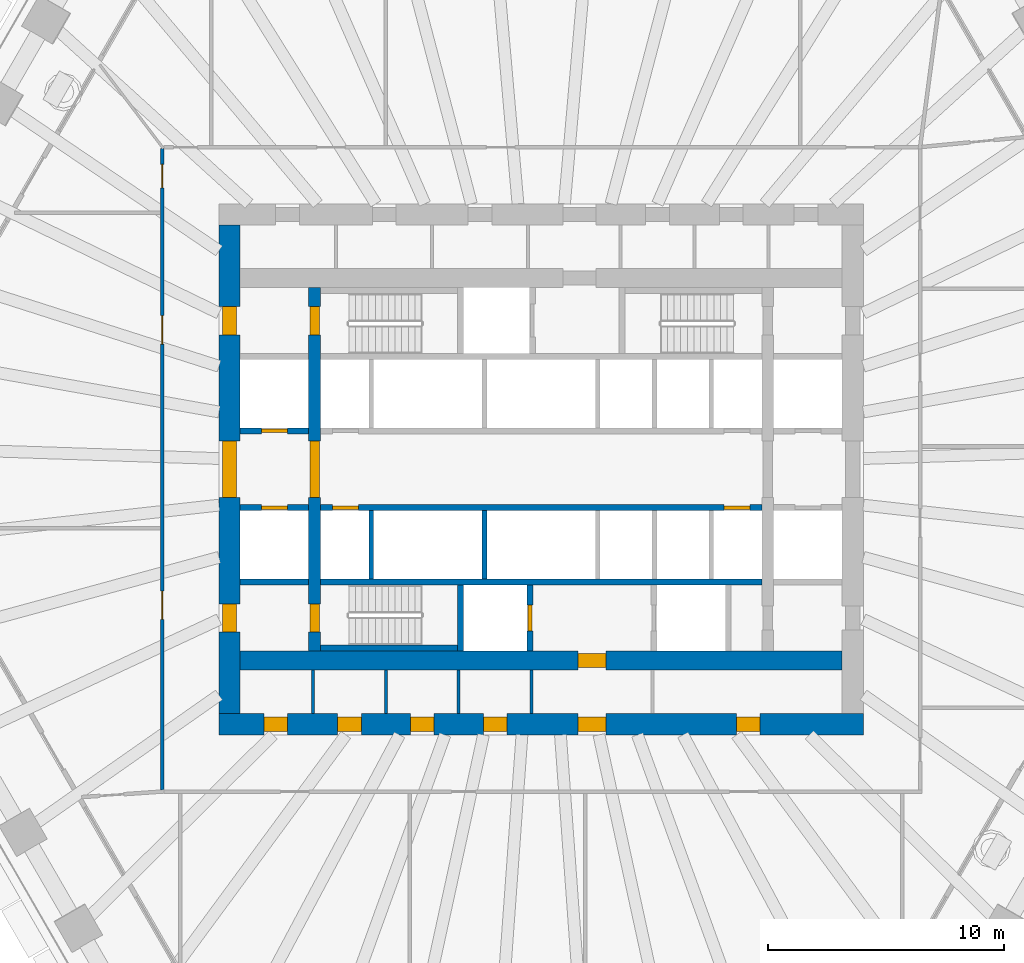
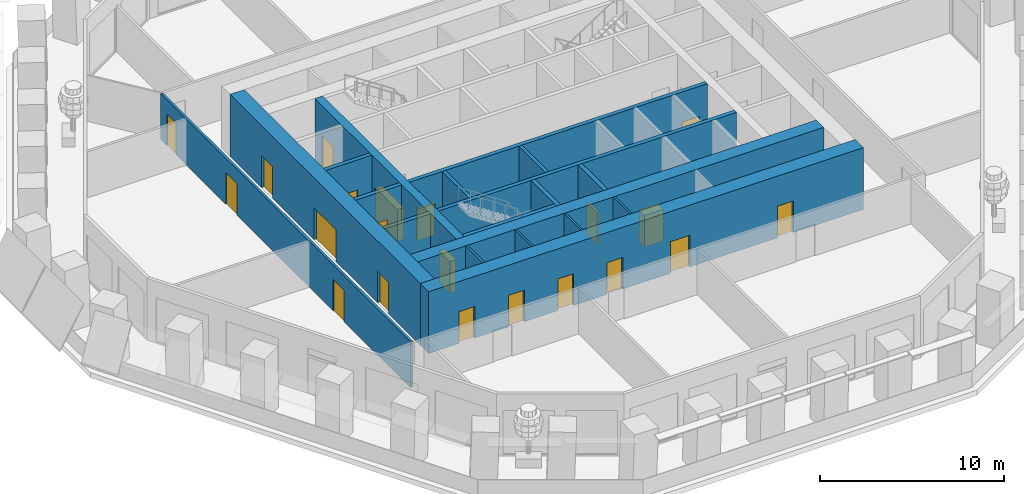
# One storey, part 4 of 12: 21 doors, 19 walls, 21 openings.
"""IFC4 building model written with IfcOpenShell, lengths in metres."""

from ifc_helpers import new_model, si_unit, direction, frame, frame_2d, origin, place, context, subcontext, project, spatial, rectangle, extrude, material, layer, layer_set, type_object, element, fill, save


model = new_model("IFC4")

# Units and contexts
model_context = context("Model", 3, precision=1e-05, world=origin(), true_north=direction((0.0, 1.0)))
body_context = subcontext(model_context, "Body", "Model", "MODEL_VIEW")
ifc_project = project(units=[si_unit("LENGTHUNIT", "METRE"), si_unit("AREAUNIT", "SQUARE_METRE"), si_unit("VOLUMEUNIT", "CUBIC_METRE"), si_unit("PLANEANGLEUNIT", "RADIAN"), si_unit("MASSUNIT", "GRAM", prefix="KILO")], contexts=[model_context])

# Site, building, storey
site_placement = place(None, origin())
site = spatial("IfcSite", under=ifc_project, at=site_placement, CompositionType="ELEMENT")
building_placement = place(site_placement, origin())
building = spatial("IfcBuilding", under=site, at=building_placement, Name="Frailejon Research Tower", CompositionType="ELEMENT")
storey_placement = place(building_placement, frame((0.0, 0.0, 45.39990234375)))
storey = spatial("IfcBuildingStorey", under=building, at=storey_placement, Name="L10", CompositionType="ELEMENT", Elevation=45.39990234375)

# Walls
ifc_material_1 = material(Name="Plasterboard on steel studs", Category="steel")
ifc_layer_1 = layer(ifc_material_1, 0.125)
ifc_layer_set_1 = layer_set([ifc_layer_1], Name="Core partition 125")
wall_type_1 = type_object("IfcWallType", Name="Core partition 125", PredefinedType="PARTITIONING", material=ifc_layer_set_1)
for number, where, z_axis, x_axis, name in (
    (1, (-9.66552734375, -10.35009765625, 0.0), (0.0, 0.0, 1.0), (0.0, 1.0, 0.0), "Core partition"),
    (2, (-6.581298828125, -10.35009765625, 0.0), (0.0, 0.0, 1.0), (0.0, 1.0, 0.0), "Core partition"),
    (3, (-3.496826171875, -10.35009765625, 0.0), (0.0, 0.0, 1.0), (0.0, 1.0, 0.0), "Core partition"),
    (4, (-0.41259765625, -10.35009765625, 0.0), (0.0, 0.0, 1.0), (0.0, 1.0, 0.0), "Core partition"),
):
    element("IfcWall", number, at=place(storey_placement, frame(where, z_axis=z_axis, x_axis=x_axis)), inside=storey, type_object=wall_type_1, Name=name, PredefinedType="PARTITIONING", context=body_context, shape_type="SweptSolid", body=[
        extrude(rectangle(XDim=1.85009765625, YDim=0.125, at=frame_2d((0.925048828125, 0.0))), origin(), (0.0, 0.0, 1.0), 4.10009765625),
    ])

# Wall, openings, doors
ifc_material_2 = material(Name="Concrete C70/85", Category="concrete")
ifc_layer_2 = layer(ifc_material_2, 0.5)
ifc_layer_set_2 = layer_set([ifc_layer_2], Name="Core shear wall 500 C70/85")
wall_type_2 = type_object("IfcWallType", Name="Core shear wall 500 C70/85", PredefinedType="SHEAR", material=ifc_layer_set_2)
wall_1_placement = place(storey_placement, frame((-9.60009765625, -7.699951171875, 0.0), z_axis=(0.0, 0.0, 1.0), x_axis=(0.0, 1.0, 0.0)))
wall_1 = element("IfcWall", 5, at=wall_1_placement, inside=storey, type_object=wall_type_2, Name="Core shear wall", PredefinedType="SHEAR", context=body_context, shape_type="SweptSolid", body=[
    extrude(rectangle(XDim=15.39990234375, YDim=0.5, at=frame_2d((7.699951171875, 0.0))), origin(), (0.0, 0.0, 1.0), 4.10009765625),
])
opening_1_placement = place(wall_1_placement, frame((6.5, 0.0, 0.0)))
opening_1 = element("IfcOpeningElement", 6, at=opening_1_placement, cuts=wall_1, Name="Opening D2", PredefinedType="OPENING", context=body_context, shape_type="SweptSolid", body=[
    extrude(rectangle(XDim=2.39990234375, YDim=2.10009765625, at=frame_2d((1.199951171875, 1.050048828125))), frame((0.0, 0.260009765625, 0.0), z_axis=(0.0, -1.0, 0.0), x_axis=(1.0, 0.0, 0.0)), (0.0, 0.0, 1.0), 0.52001953125),
])
opening_2_placement = place(wall_1_placement, frame((13.39990234375, 0.0, 0.0)))
opening_2 = element("IfcOpeningElement", 7, at=opening_2_placement, cuts=wall_1, Name="Opening D1", PredefinedType="OPENING", context=body_context, shape_type="SweptSolid", body=[
    extrude(rectangle(XDim=1.199951171875, YDim=2.10009765625, at=frame_2d((0.60009765625, 1.050048828125))), frame((0.0, 0.260009765625, 0.0), z_axis=(0.0, -1.0, 0.0), x_axis=(1.0, 0.0, 0.0)), (0.0, 0.0, 1.0), 0.52001953125),
])
opening_3_placement = place(wall_1_placement, frame((0.800048828125, 0.0, 0.0)))
opening_3 = element("IfcOpeningElement", 8, at=opening_3_placement, cuts=wall_1, Name="Opening D1", PredefinedType="OPENING", context=body_context, shape_type="SweptSolid", body=[
    extrude(rectangle(XDim=1.199951171875, YDim=2.10009765625, at=frame_2d((0.60009765625, 1.050048828125))), frame((0.0, 0.260009765625, 0.0), z_axis=(0.0, -1.0, 0.0), x_axis=(1.0, 0.0, 0.0)), (0.0, 0.0, 1.0), 0.52001953125),
])
ifc_material_3 = material(Name="Steel", Category="steel")
door_type_1 = type_object("IfcDoorType", Name="Lobby double door", OperationType="DOUBLE_DOOR_SINGLE_SWING", PredefinedType="DOOR", material=ifc_material_3)
door_1_placement = place(opening_1_placement, origin())
door_1 = element("IfcDoor", 9, at=door_1_placement, inside=storey, type_object=door_type_1, Name="Lobby door", OperationType="DOUBLE_DOOR_SINGLE_SWING", OverallHeight=2.10009765625, OverallWidth=2.39990234375, PredefinedType="DOOR", context=body_context, shape_type="SweptSolid", body=[
    extrude(rectangle(XDim=2.39990234375, YDim=2.10009765625, at=frame_2d((1.199951171875, 1.050048828125))), frame((0.0, 0.199951171875, 0.0), z_axis=(0.0, -1.0, 0.0), x_axis=(1.0, 0.0, 0.0)), (0.0, 0.0, 1.0), 0.39990234375),
])
fill(opening_1, door_1)
ifc_material_4 = material(Name="Steel", Category="steel")
door_type_2 = type_object("IfcDoorType", Name="Stair door", OperationType="SINGLE_SWING_LEFT", PredefinedType="DOOR", material=ifc_material_4)
door_2_placement = place(opening_2_placement, origin())
door_2 = element("IfcDoor", 10, at=door_2_placement, inside=storey, type_object=door_type_2, Name="Stair door ST1", OperationType="SINGLE_SWING_LEFT", OverallHeight=2.10009765625, OverallWidth=1.199951171875, PredefinedType="DOOR", context=body_context, shape_type="SweptSolid", body=[
    extrude(rectangle(XDim=1.199951171875, YDim=2.10009765625, at=frame_2d((0.60009765625, 1.050048828125))), frame((0.0, 0.199951171875, 0.0), z_axis=(0.0, -1.0, 0.0), x_axis=(1.0, 0.0, 0.0)), (0.0, 0.0, 1.0), 0.39990234375),
])
fill(opening_2, door_2)
door_3_placement = place(opening_3_placement, origin())
door_3 = element("IfcDoor", 11, at=door_3_placement, inside=storey, type_object=door_type_2, Name="Stair door ST2", OperationType="SINGLE_SWING_LEFT", OverallHeight=2.10009765625, OverallWidth=1.199951171875, PredefinedType="DOOR", context=body_context, shape_type="SweptSolid", body=[
    extrude(rectangle(XDim=1.199951171875, YDim=2.10009765625, at=frame_2d((0.60009765625, 1.050048828125))), frame((0.0, 0.199951171875, 0.0), z_axis=(0.0, -1.0, 0.0), x_axis=(1.0, 0.0, 0.0)), (0.0, 0.0, 1.0), 0.39990234375),
])
fill(opening_3, door_3)

# Wall, opening, door
ifc_material_5 = material(Name="Concrete C70/85", Category="concrete")
ifc_layer_3 = layer(ifc_material_5, 0.800048828125)
ifc_layer_set_3 = layer_set([ifc_layer_3], Name="Core shear wall 800 C70/85")
wall_type_3 = type_object("IfcWallType", Name="Core shear wall 800 C70/85", PredefinedType="SHEAR", material=ifc_layer_set_3)
wall_2_placement = place(storey_placement, frame((-12.75, -8.10009765625, 0.0), z_axis=(0.0, 0.0, 1.0), x_axis=(1.0, 0.0, 0.0)))
wall_2 = element("IfcWall", 12, at=wall_2_placement, inside=storey, type_object=wall_type_3, Name="Core shear wall", PredefinedType="SHEAR", context=body_context, shape_type="SweptSolid", body=[
    extrude(rectangle(XDim=25.5, YDim=0.800048828125, at=frame_2d((12.75, 0.0))), origin(), (0.0, 0.0, 1.0), 4.10009765625),
])
opening_4_placement = place(wall_2_placement, frame((14.300048828125, 0.0, 0.0)))
opening_4 = element("IfcOpeningElement", 13, at=opening_4_placement, cuts=wall_2, Name="Opening D3", PredefinedType="OPENING", context=body_context, shape_type="SweptSolid", body=[
    extrude(rectangle(XDim=1.199951171875, YDim=2.10009765625, at=frame_2d((0.60009765625, 1.050048828125))), frame((0.0, 0.409912109375, 0.0), z_axis=(0.0, -1.0, 0.0), x_axis=(1.0, 0.0, 0.0)), (0.0, 0.0, 1.0), 0.820068359375),
])
ifc_material_6 = material(Name="Steel", Category="steel")
door_type_3 = type_object("IfcDoorType", Name="Firefighting lobby door", OperationType="SINGLE_SWING_LEFT", PredefinedType="DOOR", material=ifc_material_6)
door_4_placement = place(opening_4_placement, origin())
door_4 = element("IfcDoor", 14, at=door_4_placement, inside=storey, type_object=door_type_3, Name="Firefighting lobby door", OperationType="SINGLE_SWING_LEFT", OverallHeight=2.10009765625, OverallWidth=1.199951171875, PredefinedType="DOOR", context=body_context, shape_type="SweptSolid", body=[
    extrude(rectangle(XDim=1.199951171875, YDim=2.10009765625, at=frame_2d((0.60009765625, 1.050048828125))), frame((0.0, 0.300048828125, 0.0), z_axis=(0.0, -1.0, 0.0), x_axis=(1.0, 0.0, 0.0)), (0.0, 0.0, 1.0), 0.60009765625),
])
fill(opening_4, door_4)

# Wall, openings, doors
ifc_material_7 = material(Name="Concrete C70/85", Category="concrete")
ifc_layer_4 = layer(ifc_material_7, 0.89990234375)
ifc_layer_set_4 = layer_set([ifc_layer_4], Name="Core shear wall 900 C70/85")
wall_type_4 = type_object("IfcWallType", Name="Core shear wall 900 C70/85", PredefinedType="SHEAR", material=ifc_layer_set_4)
wall_3_placement = place(storey_placement, frame((-13.64990234375, -10.800048828125, 0.0), z_axis=(0.0, 0.0, 1.0), x_axis=(1.0, 0.0, 0.0)))
wall_3 = element("IfcWall", 15, at=wall_3_placement, inside=storey, type_object=wall_type_4, Name="Core shear wall", PredefinedType="SHEAR", context=body_context, shape_type="SweptSolid", body=[
    extrude(rectangle(XDim=27.2998046875, YDim=0.89990234375, at=frame_2d((13.64990234375, 0.0))), origin(), (0.0, 0.0, 1.0), 4.10009765625),
])
opening_5_placement = place(wall_3_placement, frame((1.910888671875, 0.0, 0.0)))
opening_5 = element("IfcOpeningElement", 16, at=opening_5_placement, cuts=wall_3, Name="Opening D4", PredefinedType="OPENING", context=body_context, shape_type="SweptSolid", body=[
    extrude(rectangle(XDim=1.0, YDim=2.10009765625, at=frame_2d((0.5, 1.050048828125))), frame((0.0, 0.4599609375, 0.0), z_axis=(0.0, -1.0, 0.0), x_axis=(1.0, 0.0, 0.0)), (0.0, 0.0, 1.0), 0.919921875),
])
opening_6_placement = place(wall_3_placement, frame((5.026611328125, 0.0, 0.0)))
opening_6 = element("IfcOpeningElement", 17, at=opening_6_placement, cuts=wall_3, Name="Opening D4", PredefinedType="OPENING", context=body_context, shape_type="SweptSolid", body=[
    extrude(rectangle(XDim=1.0, YDim=2.10009765625, at=frame_2d((0.5, 1.050048828125))), frame((0.0, 0.4599609375, 0.0), z_axis=(0.0, -1.0, 0.0), x_axis=(1.0, 0.0, 0.0)), (0.0, 0.0, 1.0), 0.919921875),
])
opening_7_placement = place(wall_3_placement, frame((8.11083984375, 0.0, 0.0)))
opening_7 = element("IfcOpeningElement", 18, at=opening_7_placement, cuts=wall_3, Name="Opening D4", PredefinedType="OPENING", context=body_context, shape_type="SweptSolid", body=[
    extrude(rectangle(XDim=1.0, YDim=2.10009765625, at=frame_2d((0.5, 1.050048828125))), frame((0.0, 0.4599609375, 0.0), z_axis=(0.0, -1.0, 0.0), x_axis=(1.0, 0.0, 0.0)), (0.0, 0.0, 1.0), 0.919921875),
])
opening_8_placement = place(wall_3_placement, frame((11.1953125, 0.0, 0.0)))
opening_8 = element("IfcOpeningElement", 19, at=opening_8_placement, cuts=wall_3, Name="Opening D4", PredefinedType="OPENING", context=body_context, shape_type="SweptSolid", body=[
    extrude(rectangle(XDim=1.0, YDim=2.10009765625, at=frame_2d((0.5, 1.050048828125))), frame((0.0, 0.4599609375, 0.0), z_axis=(0.0, -1.0, 0.0), x_axis=(1.0, 0.0, 0.0)), (0.0, 0.0, 1.0), 0.919921875),
])
opening_9_placement = place(wall_3_placement, frame((21.91259765625, 0.0, 0.0)))
opening_9 = element("IfcOpeningElement", 20, at=opening_9_placement, cuts=wall_3, Name="Opening D4", PredefinedType="OPENING", context=body_context, shape_type="SweptSolid", body=[
    extrude(rectangle(XDim=1.0, YDim=2.10009765625, at=frame_2d((0.5, 1.050048828125))), frame((0.0, 0.4599609375, 0.0), z_axis=(0.0, -1.0, 0.0), x_axis=(1.0, 0.0, 0.0)), (0.0, 0.0, 1.0), 0.919921875),
])
opening_10_placement = place(wall_3_placement, frame((15.199951171875, 0.0, 0.0)))
opening_10 = element("IfcOpeningElement", 21, at=opening_10_placement, cuts=wall_3, Name="Opening D3", PredefinedType="OPENING", context=body_context, shape_type="SweptSolid", body=[
    extrude(rectangle(XDim=1.199951171875, YDim=2.10009765625, at=frame_2d((0.60009765625, 1.050048828125))), frame((0.0, 0.4599609375, 0.0), z_axis=(0.0, -1.0, 0.0), x_axis=(1.0, 0.0, 0.0)), (0.0, 0.0, 1.0), 0.919921875),
])
door_5_placement = place(opening_10_placement, origin())
door_5 = element("IfcDoor", 22, at=door_5_placement, inside=storey, type_object=door_type_3, Name="Passage door", OperationType="SINGLE_SWING_LEFT", OverallHeight=2.10009765625, OverallWidth=1.199951171875, PredefinedType="DOOR", context=body_context, shape_type="SweptSolid", body=[
    extrude(rectangle(XDim=1.199951171875, YDim=2.10009765625, at=frame_2d((0.60009765625, 1.050048828125))), frame((0.0, 0.300048828125, 0.0), z_axis=(0.0, -1.0, 0.0), x_axis=(1.0, 0.0, 0.0)), (0.0, 0.0, 1.0), 0.60009765625),
])
fill(opening_10, door_5)
ifc_material_8 = material(Name="Steel", Category="steel")
door_type_4 = type_object("IfcDoorType", Name="Service door", OperationType="SINGLE_SWING_LEFT", PredefinedType="DOOR", material=ifc_material_8)
door_6_placement = place(opening_5_placement, origin())
door_6 = element("IfcDoor", 23, at=door_6_placement, inside=storey, type_object=door_type_4, Name="Room door", OperationType="SINGLE_SWING_RIGHT", OverallHeight=2.10009765625, OverallWidth=1.0, PredefinedType="DOOR", context=body_context, shape_type="SweptSolid", body=[
    extrude(rectangle(XDim=1.0, YDim=2.10009765625, at=frame_2d((0.5, 1.050048828125))), frame((0.0, 0.300048828125, 0.0), z_axis=(0.0, -1.0, 0.0), x_axis=(1.0, 0.0, 0.0)), (0.0, 0.0, 1.0), 0.60009765625),
])
fill(opening_5, door_6)
door_7_placement = place(opening_6_placement, origin())
door_7 = element("IfcDoor", 24, at=door_7_placement, inside=storey, type_object=door_type_4, Name="Room door", OperationType="SINGLE_SWING_LEFT", OverallHeight=2.10009765625, OverallWidth=1.0, PredefinedType="DOOR", context=body_context, shape_type="SweptSolid", body=[
    extrude(rectangle(XDim=1.0, YDim=2.10009765625, at=frame_2d((0.5, 1.050048828125))), frame((0.0, 0.300048828125, 0.0), z_axis=(0.0, -1.0, 0.0), x_axis=(1.0, 0.0, 0.0)), (0.0, 0.0, 1.0), 0.60009765625),
])
fill(opening_6, door_7)
door_8_placement = place(opening_7_placement, origin())
door_8 = element("IfcDoor", 25, at=door_8_placement, inside=storey, type_object=door_type_4, Name="Room door", OperationType="SINGLE_SWING_RIGHT", OverallHeight=2.10009765625, OverallWidth=1.0, PredefinedType="DOOR", context=body_context, shape_type="SweptSolid", body=[
    extrude(rectangle(XDim=1.0, YDim=2.10009765625, at=frame_2d((0.5, 1.050048828125))), frame((0.0, 0.300048828125, 0.0), z_axis=(0.0, -1.0, 0.0), x_axis=(1.0, 0.0, 0.0)), (0.0, 0.0, 1.0), 0.60009765625),
])
fill(opening_7, door_8)
door_9_placement = place(opening_8_placement, origin())
door_9 = element("IfcDoor", 26, at=door_9_placement, inside=storey, type_object=door_type_4, Name="Room door", OperationType="SINGLE_SWING_LEFT", OverallHeight=2.10009765625, OverallWidth=1.0, PredefinedType="DOOR", context=body_context, shape_type="SweptSolid", body=[
    extrude(rectangle(XDim=1.0, YDim=2.10009765625, at=frame_2d((0.5, 1.050048828125))), frame((0.0, 0.300048828125, 0.0), z_axis=(0.0, -1.0, 0.0), x_axis=(1.0, 0.0, 0.0)), (0.0, 0.0, 1.0), 0.60009765625),
])
fill(opening_8, door_9)
door_10_placement = place(opening_9_placement, origin())
door_10 = element("IfcDoor", 27, at=door_10_placement, inside=storey, type_object=door_type_4, Name="Room door", OperationType="SINGLE_SWING_RIGHT", OverallHeight=2.10009765625, OverallWidth=1.0, PredefinedType="DOOR", context=body_context, shape_type="SweptSolid", body=[
    extrude(rectangle(XDim=1.0, YDim=2.10009765625, at=frame_2d((0.5, 1.050048828125))), frame((0.0, 0.300048828125, 0.0), z_axis=(0.0, -1.0, 0.0), x_axis=(1.0, 0.0, 0.0)), (0.0, 0.0, 1.0), 0.60009765625),
])
fill(opening_9, door_10)

wall_4_placement = place(storey_placement, frame((-13.199951171875, -10.35009765625, 0.0), z_axis=(0.0, 0.0, 1.0), x_axis=(0.0, 1.0, 0.0)))
wall_4 = element("IfcWall", 28, at=wall_4_placement, inside=storey, type_object=wall_type_4, Name="Core shear wall", PredefinedType="SHEAR", context=body_context, shape_type="SweptSolid", body=[
    extrude(rectangle(XDim=20.7001953125, YDim=0.89990234375, at=frame_2d((10.35009765625, 0.0))), origin(), (0.0, 0.0, 1.0), 4.10009765625),
])
opening_11_placement = place(wall_4_placement, frame((9.14990234375, 0.0, 0.0)))
opening_11 = element("IfcOpeningElement", 29, at=opening_11_placement, cuts=wall_4, Name="Opening D2", PredefinedType="OPENING", context=body_context, shape_type="SweptSolid", body=[
    extrude(rectangle(XDim=2.39990234375, YDim=2.10009765625, at=frame_2d((1.199951171875, 1.050048828125))), frame((0.0, 0.4599609375, 0.0), z_axis=(0.0, -1.0, 0.0), x_axis=(1.0, 0.0, 0.0)), (0.0, 0.0, 1.0), 0.919921875),
])
opening_12_placement = place(wall_4_placement, frame((16.050048828125, 0.0, 0.0)))
opening_12 = element("IfcOpeningElement", 30, at=opening_12_placement, cuts=wall_4, Name="Opening D7", PredefinedType="OPENING", context=body_context, shape_type="SweptSolid", body=[
    extrude(rectangle(XDim=1.199951171875, YDim=2.10009765625, at=frame_2d((0.60009765625, 1.050048828125))), frame((0.0, 0.4599609375, 0.0), z_axis=(0.0, -1.0, 0.0), x_axis=(1.0, 0.0, 0.0)), (0.0, 0.0, 1.0), 0.919921875),
])
opening_13_placement = place(wall_4_placement, frame((3.449951171875, 0.0, 0.0)))
opening_13 = element("IfcOpeningElement", 31, at=opening_13_placement, cuts=wall_4, Name="Opening D7", PredefinedType="OPENING", context=body_context, shape_type="SweptSolid", body=[
    extrude(rectangle(XDim=1.199951171875, YDim=2.10009765625, at=frame_2d((0.60009765625, 1.050048828125))), frame((0.0, 0.4599609375, 0.0), z_axis=(0.0, -1.0, 0.0), x_axis=(1.0, 0.0, 0.0)), (0.0, 0.0, 1.0), 0.919921875),
])
door_11_placement = place(opening_11_placement, origin())
door_11 = element("IfcDoor", 32, at=door_11_placement, inside=storey, type_object=door_type_1, Name="Lobby door", OperationType="DOUBLE_DOOR_SINGLE_SWING", OverallHeight=2.10009765625, OverallWidth=2.39990234375, PredefinedType="DOOR", context=body_context, shape_type="SweptSolid", body=[
    extrude(rectangle(XDim=2.39990234375, YDim=2.10009765625, at=frame_2d((1.199951171875, 1.050048828125))), frame((0.0, 0.300048828125, 0.0), z_axis=(0.0, -1.0, 0.0), x_axis=(1.0, 0.0, 0.0)), (0.0, 0.0, 1.0), 0.60009765625),
])
fill(opening_11, door_11)
ifc_material_9 = material(Name="Steel", Category="steel")
door_type_5 = type_object("IfcDoorType", Name="Stair exit door", OperationType="SINGLE_SWING_LEFT", PredefinedType="DOOR", material=ifc_material_9)
door_12_placement = place(opening_12_placement, origin())
door_12 = element("IfcDoor", 33, at=door_12_placement, inside=storey, type_object=door_type_5, Name="Stair exit door ST1", OperationType="SINGLE_SWING_RIGHT", OverallHeight=2.10009765625, OverallWidth=1.199951171875, PredefinedType="DOOR", context=body_context, shape_type="SweptSolid", body=[
    extrude(rectangle(XDim=1.199951171875, YDim=2.10009765625, at=frame_2d((0.60009765625, 1.050048828125))), frame((0.0, 0.300048828125, 0.0), z_axis=(0.0, -1.0, 0.0), x_axis=(1.0, 0.0, 0.0)), (0.0, 0.0, 1.0), 0.60009765625),
])
fill(opening_12, door_12)
door_13_placement = place(opening_13_placement, origin())
door_13 = element("IfcDoor", 34, at=door_13_placement, inside=storey, type_object=door_type_5, Name="Stair exit door ST2", OperationType="SINGLE_SWING_RIGHT", OverallHeight=2.10009765625, OverallWidth=1.199951171875, PredefinedType="DOOR", context=body_context, shape_type="SweptSolid", body=[
    extrude(rectangle(XDim=1.199951171875, YDim=2.10009765625, at=frame_2d((0.60009765625, 1.050048828125))), frame((0.0, 0.300048828125, 0.0), z_axis=(0.0, -1.0, 0.0), x_axis=(1.0, 0.0, 0.0)), (0.0, 0.0, 1.0), 0.60009765625),
])
fill(opening_13, door_13)

ifc_material_10 = material(Name="Gypsum board and masonry partition", Category="masonry")
ifc_layer_5 = layer(ifc_material_10, 0.14990234375)
ifc_layer_set_5 = layer_set([ifc_layer_5], Name="Corridor wall EI 60, gypsum on steel studs 150")
wall_type_5 = type_object("IfcWallType", Name="Corridor wall EI 60, gypsum on steel studs 150", PredefinedType="PARTITIONING", material=ifc_layer_set_5)
wall_5_placement = place(storey_placement, frame((-16.050048828125, -13.574951171875, 0.0), z_axis=(0.0, 0.0, 1.0), x_axis=(0.0, 1.0, 0.0)))
wall_5 = element("IfcWall", 35, at=wall_5_placement, inside=storey, type_object=wall_type_5, Name="T:IW:L10:003", PredefinedType="PARTITIONING", context=body_context, shape_type="SweptSolid", body=[
    extrude(rectangle(XDim=27.175048828125, YDim=0.14990234375, at=frame_2d((13.58740234375, 0.0))), origin(), (0.0, 0.0, 1.0), 3.050048828125),
])
opening_14_placement = place(wall_5_placement, frame((25.498291015625, 0.0, 0.0)))
opening_14 = element("IfcOpeningElement", 36, at=opening_14_placement, cuts=wall_5, Name="Opening D1394", PredefinedType="OPENING", context=body_context, shape_type="SweptSolid", body=[
    extrude(rectangle(XDim=1.0, YDim=2.10009765625, at=frame_2d((0.5, 1.050048828125))), frame((0.0, 0.0849609375, 0.0), z_axis=(0.0, -1.0, 0.0), x_axis=(1.0, 0.0, 0.0)), (0.0, 0.0, 1.0), 0.169921875),
])
opening_15_placement = place(wall_5_placement, frame((18.88427734375, 0.0, 0.0)))
opening_15 = element("IfcOpeningElement", 37, at=opening_15_placement, cuts=wall_5, Name="Opening D1395", PredefinedType="OPENING", context=body_context, shape_type="SweptSolid", body=[
    extrude(rectangle(XDim=1.199951171875, YDim=2.10009765625, at=frame_2d((0.60009765625, 1.050048828125))), frame((0.0, 0.0849609375, 0.0), z_axis=(0.0, -1.0, 0.0), x_axis=(1.0, 0.0, 0.0)), (0.0, 0.0, 1.0), 0.169921875),
])
opening_16_placement = place(wall_5_placement, frame((7.21533203125, 0.0, 0.0)))
opening_16 = element("IfcOpeningElement", 38, at=opening_16_placement, cuts=wall_5, Name="Opening D1396", PredefinedType="OPENING", context=body_context, shape_type="SweptSolid", body=[
    extrude(rectangle(XDim=1.199951171875, YDim=2.10009765625, at=frame_2d((0.60009765625, 1.050048828125))), frame((0.0, 0.0849609375, 0.0), z_axis=(0.0, -1.0, 0.0), x_axis=(1.0, 0.0, 0.0)), (0.0, 0.0, 1.0), 0.169921875),
])
ifc_material_11 = material(Name="Timber door leaf", Category="wood")
door_type_6 = type_object("IfcDoorType", Name="Door laboratory, timber, vision panel 1200", OperationType="NOTDEFINED", PredefinedType="DOOR", material=ifc_material_11)
door_14_placement = place(opening_15_placement, origin())
door_14 = element("IfcDoor", 39, at=door_14_placement, inside=storey, type_object=door_type_6, Name="D1395", OperationType="DOUBLE_DOOR_SINGLE_SWING", OverallHeight=2.10009765625, OverallWidth=1.199951171875, PredefinedType="DOOR", context=body_context, shape_type="SweptSolid", body=[
    extrude(rectangle(XDim=1.199951171875, YDim=2.10009765625, at=frame_2d((0.60009765625, 1.050048828125))), frame((0.0, 0.02490234375, 0.0), z_axis=(0.0, -1.0, 0.0), x_axis=(1.0, 0.0, 0.0)), (0.0, 0.0, 1.0), 0.050048828125),
])
fill(opening_15, door_14)
door_15_placement = place(opening_16_placement, origin())
door_15 = element("IfcDoor", 40, at=door_15_placement, inside=storey, type_object=door_type_6, Name="D1396", OperationType="DOUBLE_DOOR_SINGLE_SWING", OverallHeight=2.10009765625, OverallWidth=1.199951171875, PredefinedType="DOOR", context=body_context, shape_type="SweptSolid", body=[
    extrude(rectangle(XDim=1.199951171875, YDim=2.10009765625, at=frame_2d((0.60009765625, 1.050048828125))), frame((0.0, 0.02490234375, 0.0), z_axis=(0.0, -1.0, 0.0), x_axis=(1.0, 0.0, 0.0)), (0.0, 0.0, 1.0), 0.050048828125),
])
fill(opening_16, door_15)
ifc_material_12 = material(Name="Timber door leaf", Category="wood")
door_type_7 = type_object("IfcDoorType", Name="Door single leaf, timber, steel frame 1000", OperationType="NOTDEFINED", PredefinedType="DOOR", material=ifc_material_12)
door_16_placement = place(opening_14_placement, origin())
door_16 = element("IfcDoor", 41, at=door_16_placement, inside=storey, type_object=door_type_7, Name="D1394", OperationType="SINGLE_SWING_RIGHT", OverallHeight=2.10009765625, OverallWidth=1.0, PredefinedType="DOOR", context=body_context, shape_type="SweptSolid", body=[
    extrude(rectangle(XDim=1.0, YDim=2.10009765625, at=frame_2d((0.5, 1.050048828125))), frame((0.0, 0.02490234375, 0.0), z_axis=(0.0, -1.0, 0.0), x_axis=(1.0, 0.0, 0.0)), (0.0, 0.0, 1.0), 0.050048828125),
])
fill(opening_14, door_16)

# Walls
ifc_material_13 = material(Name="Concrete C70/85", Category="concrete")
ifc_layer_6 = layer(ifc_material_13, 0.199951171875)
ifc_layer_set_6 = layer_set([ifc_layer_6], Name="Shaft wall 200 C70/85")
wall_type_6 = type_object("IfcWallType", Name="Shaft wall 200 C70/85", PredefinedType="SOLIDWALL", material=ifc_layer_set_6)
for number, where, z_axis, x_axis, name in (
    (42, (-7.199951171875, -4.64990234375, 0.0), (0.0, 0.0, 1.0), (0.0, 1.0, 0.0), "Shaft wall"),
    (43, (-2.39990234375, -4.64990234375, 0.0), (0.0, 0.0, 1.0), (0.0, 1.0, 0.0), "Shaft wall"),
):
    element("IfcWall", number, at=place(storey_placement, frame(where, z_axis=z_axis, x_axis=x_axis)), inside=storey, type_object=wall_type_6, Name=name, PredefinedType="SOLIDWALL", context=body_context, shape_type="SweptSolid", body=[
        extrude(rectangle(XDim=2.89990234375, YDim=0.199951171875, at=frame_2d((1.449951171875, 0.0))), origin(), (0.0, 0.0, 1.0), 4.10009765625),
    ])

# Wall, opening, door
ifc_material_14 = material(Name="Concrete C70/85", Category="concrete")
ifc_layer_7 = layer(ifc_material_14, 0.25)
ifc_layer_set_7 = layer_set([ifc_layer_7], Name="Shaft wall 250 C70/85")
wall_type_7 = type_object("IfcWallType", Name="Shaft wall 250 C70/85", PredefinedType="SOLIDWALL", material=ifc_layer_set_7)
wall_6_placement = place(storey_placement, frame((-12.75, 1.625, 0.0), z_axis=(0.0, 0.0, 1.0), x_axis=(1.0, 0.0, 0.0)))
wall_6 = element("IfcWall", 44, at=wall_6_placement, inside=storey, type_object=wall_type_7, Name="Shaft wall", PredefinedType="SOLIDWALL", context=body_context, shape_type="SweptSolid", body=[
    extrude(rectangle(XDim=2.89990234375, YDim=0.25, at=frame_2d((1.449951171875, 0.0))), origin(), (0.0, 0.0, 1.0), 4.10009765625),
])
opening_17_placement = place(wall_6_placement, frame((0.89990234375, 0.0, 0.0)))
opening_17 = element("IfcOpeningElement", 45, at=opening_17_placement, cuts=wall_6, Name="Opening LD", PredefinedType="OPENING", context=body_context, shape_type="SweptSolid", body=[
    extrude(rectangle(XDim=1.10009765625, YDim=2.10009765625, at=frame_2d((0.550048828125, 1.050048828125))), frame((0.0, 0.135009765625, 0.0), z_axis=(0.0, -1.0, 0.0), x_axis=(1.0, 0.0, 0.0)), (0.0, 0.0, 1.0), 0.27001953125),
])
ifc_material_15 = material(Name="Steel", Category="steel")
door_type_8 = type_object("IfcDoorType", Name="Lift landing door", OperationType="DOUBLE_DOOR_SLIDING", PredefinedType="DOOR", material=ifc_material_15)
door_17_placement = place(opening_17_placement, origin())
door_17 = element("IfcDoor", 46, at=door_17_placement, inside=storey, type_object=door_type_8, Name="Lift landing door", OperationType="DOUBLE_DOOR_SLIDING", OverallHeight=2.10009765625, OverallWidth=1.10009765625, PredefinedType="DOOR", context=body_context, shape_type="SweptSolid", body=[
    extrude(rectangle(XDim=1.10009765625, YDim=2.10009765625, at=frame_2d((0.550048828125, 1.050048828125))), frame((0.0, 0.074951171875, 0.0), z_axis=(0.0, -1.0, 0.0), x_axis=(1.0, 0.0, 0.0)), (0.0, 0.0, 1.0), 0.14990234375),
])
fill(opening_17, door_17)

wall_7_placement = place(storey_placement, frame((-12.75, -1.625, 0.0), z_axis=(0.0, 0.0, 1.0), x_axis=(1.0, 0.0, 0.0)))
wall_7 = element("IfcWall", 47, at=wall_7_placement, inside=storey, type_object=wall_type_7, Name="Shaft wall", PredefinedType="SOLIDWALL", context=body_context, shape_type="SweptSolid", body=[
    extrude(rectangle(XDim=2.89990234375, YDim=0.25, at=frame_2d((1.449951171875, 0.0))), origin(), (0.0, 0.0, 1.0), 4.10009765625),
])
opening_18_placement = place(wall_7_placement, frame((0.89990234375, 0.0, 0.0)))
opening_18 = element("IfcOpeningElement", 48, at=opening_18_placement, cuts=wall_7, Name="Opening LD", PredefinedType="OPENING", context=body_context, shape_type="SweptSolid", body=[
    extrude(rectangle(XDim=1.10009765625, YDim=2.10009765625, at=frame_2d((0.550048828125, 1.050048828125))), frame((0.0, 0.135009765625, 0.0), z_axis=(0.0, -1.0, 0.0), x_axis=(1.0, 0.0, 0.0)), (0.0, 0.0, 1.0), 0.27001953125),
])
door_18_placement = place(opening_18_placement, origin())
door_18 = element("IfcDoor", 49, at=door_18_placement, inside=storey, type_object=door_type_8, Name="Lift landing door", OperationType="DOUBLE_DOOR_SLIDING", OverallHeight=2.10009765625, OverallWidth=1.10009765625, PredefinedType="DOOR", context=body_context, shape_type="SweptSolid", body=[
    extrude(rectangle(XDim=1.10009765625, YDim=2.10009765625, at=frame_2d((0.550048828125, 1.050048828125))), frame((0.0, 0.074951171875, 0.0), z_axis=(0.0, -1.0, 0.0), x_axis=(1.0, 0.0, 0.0)), (0.0, 0.0, 1.0), 0.14990234375),
])
fill(opening_18, door_18)

# Wall, openings, doors
wall_8_placement = place(storey_placement, frame((-9.35009765625, -1.625, 0.0), z_axis=(0.0, 0.0, 1.0), x_axis=(1.0, 0.0, 0.0)))
wall_8 = element("IfcWall", 50, at=wall_8_placement, inside=storey, type_object=wall_type_7, Name="Shaft wall", PredefinedType="SOLIDWALL", context=body_context, shape_type="SweptSolid", body=[
    extrude(rectangle(XDim=18.7001953125, YDim=0.25, at=frame_2d((9.35009765625, 0.0))), origin(), (0.0, 0.0, 1.0), 4.10009765625),
])
opening_19_placement = place(wall_8_placement, frame((0.5, 0.0, 0.0)))
opening_19 = element("IfcOpeningElement", 51, at=opening_19_placement, cuts=wall_8, Name="Opening LD", PredefinedType="OPENING", context=body_context, shape_type="SweptSolid", body=[
    extrude(rectangle(XDim=1.10009765625, YDim=2.10009765625, at=frame_2d((0.550048828125, 1.050048828125))), frame((0.0, 0.135009765625, 0.0), z_axis=(0.0, -1.0, 0.0), x_axis=(1.0, 0.0, 0.0)), (0.0, 0.0, 1.0), 0.27001953125),
])
opening_20_placement = place(wall_8_placement, frame((17.10009765625, 0.0, 0.0)))
opening_20 = element("IfcOpeningElement", 52, at=opening_20_placement, cuts=wall_8, Name="Opening LD", PredefinedType="OPENING", context=body_context, shape_type="SweptSolid", body=[
    extrude(rectangle(XDim=1.10009765625, YDim=2.10009765625, at=frame_2d((0.550048828125, 1.050048828125))), frame((0.0, 0.135009765625, 0.0), z_axis=(0.0, -1.0, 0.0), x_axis=(1.0, 0.0, 0.0)), (0.0, 0.0, 1.0), 0.27001953125),
])
door_19_placement = place(opening_19_placement, origin())
door_19 = element("IfcDoor", 53, at=door_19_placement, inside=storey, type_object=door_type_8, Name="Lift landing door", OperationType="DOUBLE_DOOR_SLIDING", OverallHeight=2.10009765625, OverallWidth=1.10009765625, PredefinedType="DOOR", context=body_context, shape_type="SweptSolid", body=[
    extrude(rectangle(XDim=1.10009765625, YDim=2.10009765625, at=frame_2d((0.550048828125, 1.050048828125))), frame((0.0, 0.074951171875, 0.0), z_axis=(0.0, -1.0, 0.0), x_axis=(1.0, 0.0, 0.0)), (0.0, 0.0, 1.0), 0.14990234375),
])
fill(opening_19, door_19)
door_20_placement = place(opening_20_placement, origin())
door_20 = element("IfcDoor", 54, at=door_20_placement, inside=storey, type_object=door_type_8, Name="Lift landing door", OperationType="DOUBLE_DOOR_SLIDING", OverallHeight=2.10009765625, OverallWidth=1.10009765625, PredefinedType="DOOR", context=body_context, shape_type="SweptSolid", body=[
    extrude(rectangle(XDim=1.10009765625, YDim=2.10009765625, at=frame_2d((0.550048828125, 1.050048828125))), frame((0.0, 0.074951171875, 0.0), z_axis=(0.0, -1.0, 0.0), x_axis=(1.0, 0.0, 0.0)), (0.0, 0.0, 1.0), 0.14990234375),
])
fill(opening_20, door_20)

# Walls
wall_9_placement = place(storey_placement, frame((-12.75, -4.77490234375, 0.0), z_axis=(0.0, 0.0, 1.0), x_axis=(1.0, 0.0, 0.0)))
element("IfcWall", 55, at=wall_9_placement, inside=storey, type_object=wall_type_7, Name="Shaft wall", PredefinedType="SOLIDWALL", context=body_context, shape_type="SweptSolid", body=[
    extrude(rectangle(XDim=2.89990234375, YDim=0.25, at=frame_2d((1.449951171875, 0.0))), origin(), (0.0, 0.0, 1.0), 4.10009765625),
])
wall_10_placement = place(storey_placement, frame((-9.35009765625, -4.77490234375, 0.0), z_axis=(0.0, 0.0, 1.0), x_axis=(1.0, 0.0, 0.0)))
element("IfcWall", 56, at=wall_10_placement, inside=storey, type_object=wall_type_7, Name="Shaft wall", PredefinedType="SOLIDWALL", context=body_context, shape_type="SweptSolid", body=[
    extrude(rectangle(XDim=18.7001953125, YDim=0.25, at=frame_2d((9.35009765625, 0.0))), origin(), (0.0, 0.0, 1.0), 4.10009765625),
])
wall_11_placement = place(storey_placement, frame((-9.35009765625, -7.574951171875, 0.0), z_axis=(0.0, 0.0, 1.0), x_axis=(1.0, 0.0, 0.0)))
element("IfcWall", 57, at=wall_11_placement, inside=storey, type_object=wall_type_7, Name="Shaft wall", PredefinedType="SOLIDWALL", context=body_context, shape_type="SweptSolid", body=[
    extrude(rectangle(XDim=5.800048828125, YDim=0.25, at=frame_2d((2.89990234375, 0.0))), origin(), (0.0, 0.0, 1.0), 4.10009765625),
])
wall_12_placement = place(storey_placement, frame((-3.425048828125, -7.699951171875, 0.0), z_axis=(0.0, 0.0, 1.0), x_axis=(0.0, 1.0, 0.0)))
element("IfcWall", 58, at=wall_12_placement, inside=storey, type_object=wall_type_7, Name="Shaft wall", PredefinedType="SOLIDWALL", context=body_context, shape_type="SweptSolid", body=[
    extrude(rectangle(XDim=2.800048828125, YDim=0.25, at=frame_2d((1.39990234375, 0.0))), origin(), (0.0, 0.0, 1.0), 4.10009765625),
])

# Wall, opening, door
wall_13_placement = place(storey_placement, frame((-0.47509765625, -7.699951171875, 0.0), z_axis=(0.0, 0.0, 1.0), x_axis=(0.0, 1.0, 0.0)))
wall_13 = element("IfcWall", 59, at=wall_13_placement, inside=storey, type_object=wall_type_7, Name="Shaft wall", PredefinedType="SOLIDWALL", context=body_context, shape_type="SweptSolid", body=[
    extrude(rectangle(XDim=2.800048828125, YDim=0.25, at=frame_2d((1.39990234375, 0.0))), origin(), (0.0, 0.0, 1.0), 4.10009765625),
])
opening_21_placement = place(wall_13_placement, frame((0.85009765625, 0.0, 0.0)))
opening_21 = element("IfcOpeningElement", 60, at=opening_21_placement, cuts=wall_13, Name="Opening LD", PredefinedType="OPENING", context=body_context, shape_type="SweptSolid", body=[
    extrude(rectangle(XDim=1.10009765625, YDim=2.10009765625, at=frame_2d((0.550048828125, 1.050048828125))), frame((0.0, 0.135009765625, 0.0), z_axis=(0.0, -1.0, 0.0), x_axis=(1.0, 0.0, 0.0)), (0.0, 0.0, 1.0), 0.27001953125),
])
door_21_placement = place(opening_21_placement, origin())
door_21 = element("IfcDoor", 61, at=door_21_placement, inside=storey, type_object=door_type_8, Name="Lift landing door", OperationType="DOUBLE_DOOR_SLIDING", OverallHeight=2.10009765625, OverallWidth=1.10009765625, PredefinedType="DOOR", context=body_context, shape_type="SweptSolid", body=[
    extrude(rectangle(XDim=1.10009765625, YDim=2.10009765625, at=frame_2d((0.550048828125, 1.050048828125))), frame((0.0, 0.074951171875, 0.0), z_axis=(0.0, -1.0, 0.0), x_axis=(1.0, 0.0, 0.0)), (0.0, 0.0, 1.0), 0.14990234375),
])
fill(opening_21, door_21)

save(model, "model.ifc")
